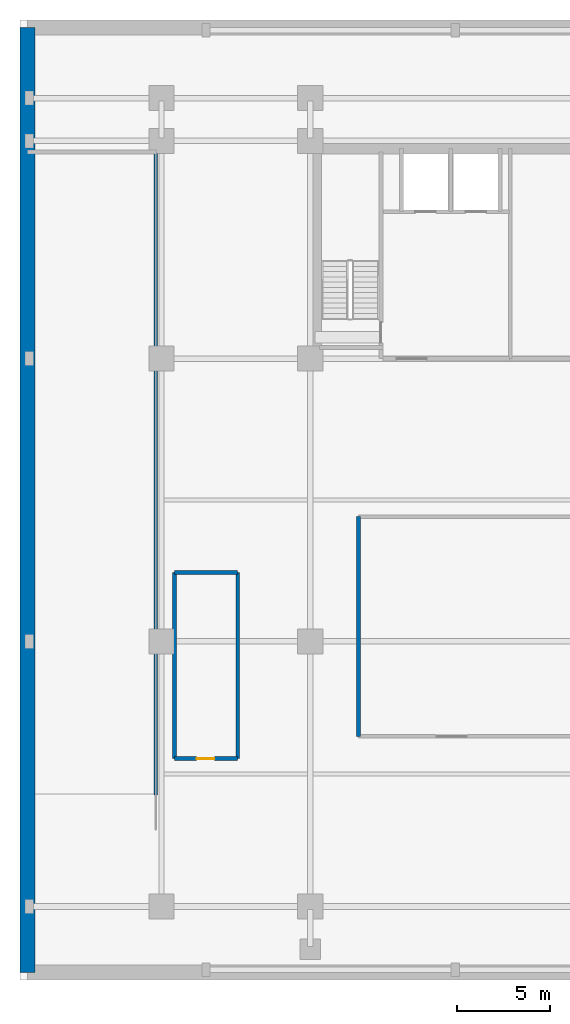
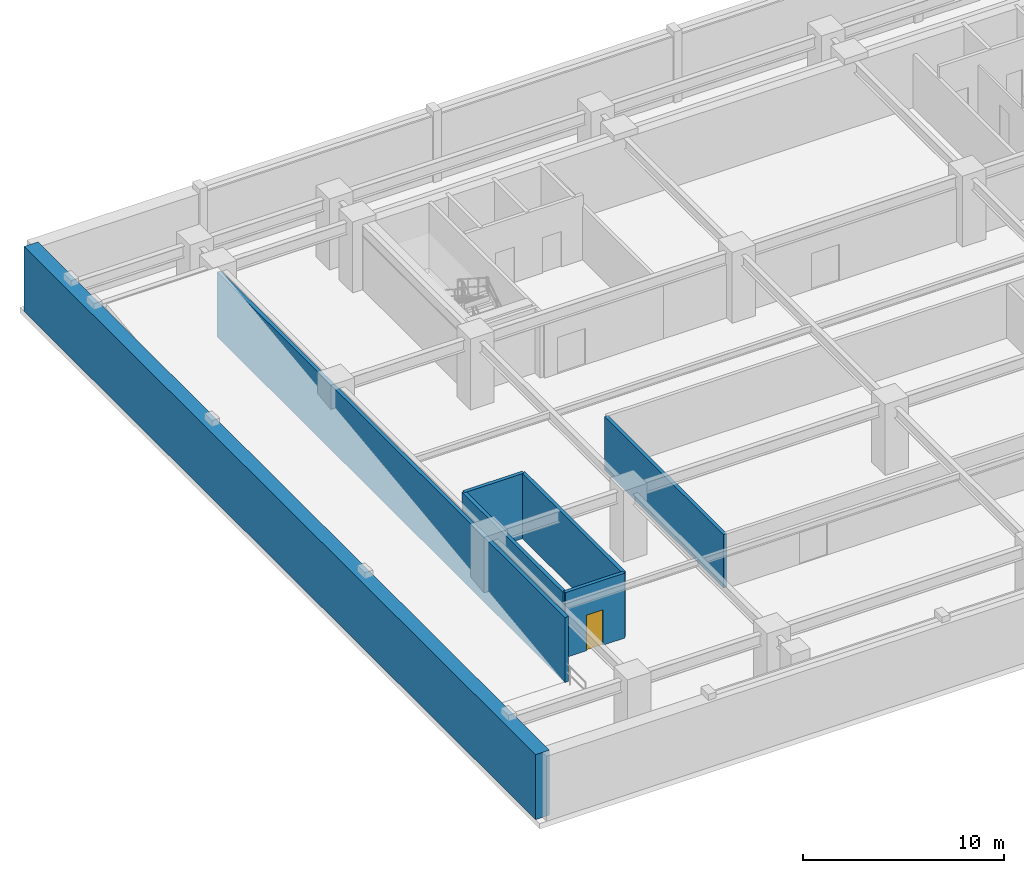
# One storey, part 3 of 8: 7 walls, 1 door, 1 opening.
"""IFC4 building model written with IfcOpenShell, lengths in metres."""

from ifc_helpers import new_model, si_unit, direction, frame, frame_2d, origin, place, context, subcontext, project, spatial, rectangle, extrude, source, transform, mapped, material, layer, layer_set, type_object, element, fill, save


model = new_model("IFC4")

# Units and contexts
model_context = context("Model", 3, precision=1e-05, world=origin(), true_north=direction((0.0, 1.0)))
body_context = subcontext(model_context, "Body", "Model", "MODEL_VIEW")
ifc_project = project(units=[si_unit("LENGTHUNIT", "METRE"), si_unit("AREAUNIT", "SQUARE_METRE"), si_unit("VOLUMEUNIT", "CUBIC_METRE"), si_unit("PLANEANGLEUNIT", "RADIAN"), si_unit("MASSUNIT", "GRAM", prefix="KILO")], contexts=[model_context])

# Site, building, storey
site_placement = place(None, origin())
site = spatial("IfcSite", under=ifc_project, at=site_placement, CompositionType="ELEMENT")
building_placement = place(site_placement, origin())
building = spatial("IfcBuilding", under=site, at=building_placement, Name="Trelvane Seafront Commons", CompositionType="ELEMENT")
storey_placement = place(building_placement, frame((0.0, 0.0, -4.300048828125)))
storey = spatial("IfcBuildingStorey", under=building, at=storey_placement, Name="B01", CompositionType="ELEMENT", Elevation=-4.300048828125)

# Walls
ifc_material_1 = material(Name="Concrete C40/50", Category="concrete")
ifc_layer_1 = layer(ifc_material_1, 0.199951171875, Name="ARCH-WALL-FIRE200")
ifc_layer_set_1 = layer_set([ifc_layer_1], Name="Concrete C40/50")
wall_type_1 = type_object("IfcWallType", Name="ARCH-WALL-FIRE200", PredefinedType="PARTITIONING", material=ifc_layer_set_1)
wall_1_placement = place(storey_placement, frame((18.199951171875, 13.10009765625, 0.0), z_axis=(0.0, 0.0, 1.0), x_axis=(0.0, 1.0, 0.0)))
element("IfcWall", 1, at=wall_1_placement, inside=storey, type_object=wall_type_1, Name="W-B01-BM-IS-W-037", PredefinedType="PARTITIONING", context=body_context, shape_type="SweptSolid", body=[
    extrude(rectangle(XDim=11.7998046875, YDim=0.199951171875, at=frame_2d((5.89990234375, 0.0))), origin(), (0.0, 0.0, 1.0), 3.239990234375),
])
ifc_material_2 = material(Name="Concrete C50/60", Category="concrete")
ifc_layer_2 = layer(ifc_material_2, 0.800048828125, Name="STR-WALL-RET800")
ifc_layer_set_2 = layer_set([ifc_layer_2], Name="Concrete C50/60")
wall_type_2 = type_object("IfcWallType", Name="STR-WALL-RET800", PredefinedType="USERDEFINED", material=ifc_layer_set_2)
wall_2_placement = place(storey_placement, frame((0.39990234375, 51.199951171875, 0.0), z_axis=(0.0, 0.0, 1.0), x_axis=(0.0, -1.0, 0.0)))
element("IfcWall", 2, at=wall_2_placement, inside=storey, type_object=wall_type_2, Name="RET-B01-12", ObjectType="RETAINING WALL", PredefinedType="USERDEFINED", context=body_context, shape_type="SweptSolid", body=[
    extrude(rectangle(XDim=50.800048828125, YDim=0.800048828125, at=frame_2d((25.39990234375, 0.0))), origin(), (0.0, 0.0, 1.0), 3.93994140625),
])
ifc_layer_3 = layer(ifc_material_2, 0.199951171875, Name="STR-WALL-STAIR200")
ifc_layer_set_3 = layer_set([ifc_layer_3], Name="Concrete C50/60")
wall_type_3 = type_object("IfcWallType", Name="STR-WALL-STAIR200", PredefinedType="SHEAR", material=ifc_layer_set_3)
for number, where, z_axis, x_axis, name in (
    (3, (8.300048828125, 11.89990234375, 0.0), (0.0, 0.0, 1.0), (0.0, 1.0, 0.0), "W-B01-ST3B-W-008"),
    (4, (11.699951171875, 11.89990234375, 0.0), (0.0, 0.0, 1.0), (0.0, 1.0, 0.0), "W-B01-ST3B-E-009"),
):
    element("IfcWall", number, at=place(storey_placement, frame(where, z_axis=z_axis, x_axis=x_axis)), inside=storey, type_object=wall_type_3, Name=name, PredefinedType="SHEAR", context=body_context, shape_type="SweptSolid", body=[
        extrude(rectangle(XDim=10.0, YDim=0.199951171875, at=frame_2d((5.0, 0.0))), origin(), (0.0, 0.0, 1.0), 3.93994140625),
    ])

# Wall, opening, door
wall_3_placement = place(storey_placement, frame((8.300048828125, 11.89990234375, 0.0), z_axis=(0.0, 0.0, 1.0), x_axis=(1.0, 0.0, 0.0)))
wall_3 = element("IfcWall", 5, at=wall_3_placement, inside=storey, type_object=wall_type_3, Name="W-B01-ST3B-S-010", PredefinedType="SHEAR", context=body_context, shape_type="SweptSolid", body=[
    extrude(rectangle(XDim=3.39990234375, YDim=0.199951171875, at=frame_2d((1.699951171875, 0.0))), origin(), (0.0, 0.0, 1.0), 3.93994140625),
])
opening_placement = place(wall_3_placement, frame((1.199951171875, 0.0, 0.0)))
opening = element("IfcOpeningElement", 6, at=opening_placement, cuts=wall_3, Name="Opening FD-B01-03", PredefinedType="OPENING", context=body_context, shape_type="SweptSolid", body=[
    extrude(rectangle(XDim=0.949951171875, YDim=2.14990234375, at=frame_2d((0.47509765625, 1.074951171875))), frame((0.0, 0.10986328125, 0.0), z_axis=(0.0, -1.0, 0.0), x_axis=(1.0, 0.0, 0.0)), (0.0, 0.0, 1.0), 0.219970703125),
])
ifc_material_3 = material(Name="Powder-coated aluminium frame", Category="aluminium")
door_type = type_object("IfcDoorType", Name="ARCH-DR-FD60-950", OperationType="NOTDEFINED", PredefinedType="DOOR", material=ifc_material_3)
shared_shape = source(origin(), body_context, "Body", "SweptSolid", [
    extrude(rectangle(XDim=0.949951171875, YDim=2.14990234375, at=frame_2d((0.47509765625, 1.074951171875))), frame((0.0, 0.02490234375, 0.0), z_axis=(0.0, -1.0, 0.0), x_axis=(1.0, 0.0, 0.0)), (0.0, 0.0, 1.0), 0.050048828125),
])
door_placement = place(opening_placement, origin())
door = element("IfcDoor", 7, at=door_placement, inside=storey, type_object=door_type, Name="B01 Door 03", OperationType="SINGLE_SWING_LEFT", OverallHeight=2.14990234375, OverallWidth=0.949951171875, PredefinedType="DOOR", context=body_context, shape_type="MappedRepresentation", body=[
    mapped(shared_shape, transform((0.0, 0.0, 0.0), x_axis=(1.0, 0.0, 0.0), y_axis=(0.0, 1.0, 0.0), z_axis=(0.0, 0.0, 1.0), scale=1.0)),
])
fill(opening, door)

# Walls
wall_4_placement = place(storey_placement, frame((8.300048828125, 21.89990234375, 0.0), z_axis=(0.0, 0.0, 1.0), x_axis=(1.0, 0.0, 0.0)))
element("IfcWall", 8, at=wall_4_placement, inside=storey, type_object=wall_type_3, Name="W-B01-ST3B-N-011", PredefinedType="SHEAR", context=body_context, shape_type="SweptSolid", body=[
    extrude(rectangle(XDim=3.39990234375, YDim=0.199951171875, at=frame_2d((1.699951171875, 0.0))), origin(), (0.0, 0.0, 1.0), 3.93994140625),
])
wall_5_placement = place(storey_placement, frame((7.300048828125, 9.949951171875, 0.0), z_axis=(0.0, 0.0, 1.0), x_axis=(0.0, 1.0, 0.0)))
element("IfcWall", 9, at=wall_5_placement, inside=storey, type_object=wall_type_3, Name="W-B01-RMP-E-B1-041", PredefinedType="SHEAR", context=body_context, shape_type="SweptSolid", body=[
    extrude(rectangle(XDim=34.550048828125, YDim=0.199951171875, at=frame_2d((17.27490234375, 0.0))), origin(), (0.0, 0.0, 1.0), 3.93994140625),
])

save(model, "model.ifc")
